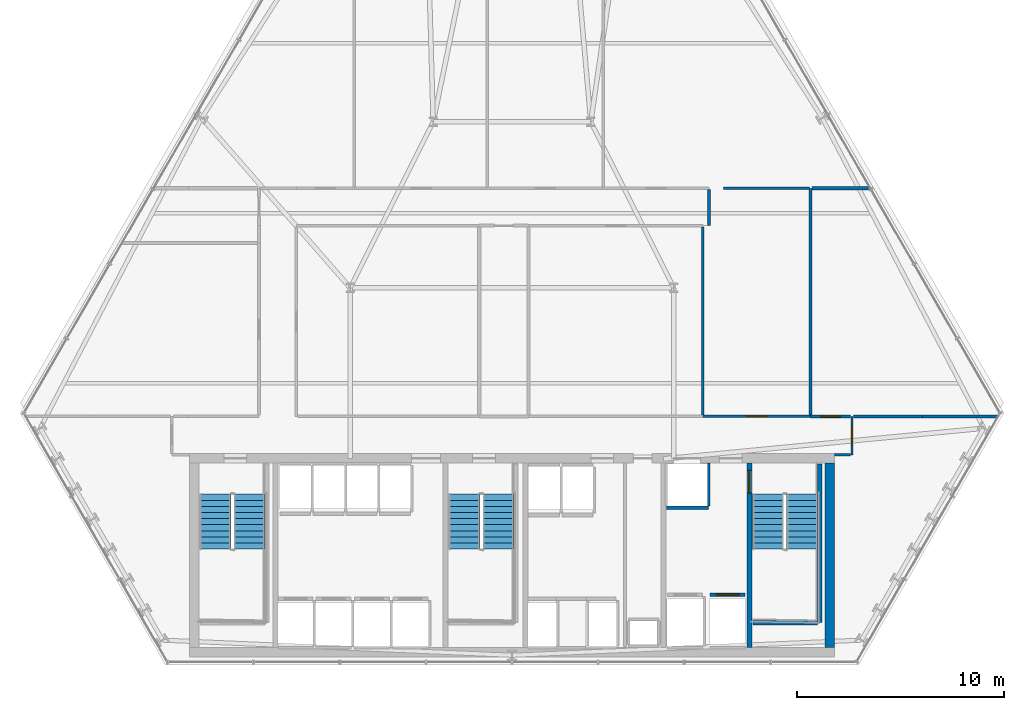
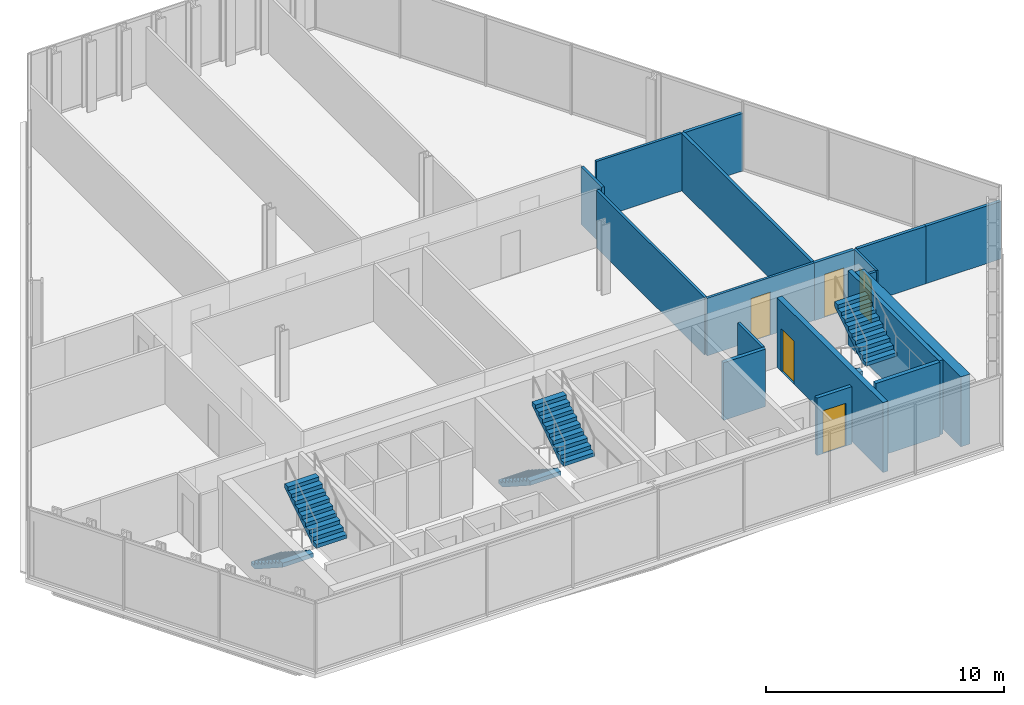
# One storey, part 29 of 32: 18 walls, 6 stair flights, 5 doors, 5 openings, 3 elements without a shape of their own.
"""IFC4 building model written with IfcOpenShell, lengths in metres."""

from ifc_helpers import new_model, si_unit, direction, frame, frame_2d, origin, place, context, subcontext, project, spatial, polyline, rectangle, outline, extrude, material, layer, layer_set, type_object, element, fill, aggregate, save


model = new_model("IFC4")

# Units and contexts
model_context = context("Model", 3, precision=1e-05, world=origin(), true_north=direction((0.0, 1.0)))
body_context = subcontext(model_context, "Body", "Model", "MODEL_VIEW")
ifc_project = project(units=[si_unit("LENGTHUNIT", "METRE"), si_unit("AREAUNIT", "SQUARE_METRE"), si_unit("VOLUMEUNIT", "CUBIC_METRE"), si_unit("PLANEANGLEUNIT", "RADIAN"), si_unit("MASSUNIT", "GRAM", prefix="KILO")], contexts=[model_context])

# Site, building, storey
site_placement = place(None, origin())
site = spatial("IfcSite", under=ifc_project, at=site_placement, CompositionType="ELEMENT")
building_placement = place(site_placement, origin())
building = spatial("IfcBuilding", under=site, at=building_placement, Name="Ndaravel Arena Tower", CompositionType="ELEMENT")
storey_placement = place(building_placement, frame((0.0, 0.0, 93.0)))
storey = spatial("IfcBuildingStorey", under=building, at=storey_placement, Name="L21", CompositionType="ELEMENT", Elevation=93.0)

# Wall, opening, door
ifc_material_1 = material(Name="Concrete C60/75", Category="concrete")
ifc_layer_1 = layer(ifc_material_1, 0.25)
ifc_layer_set_1 = layer_set([ifc_layer_1], Name="Concrete C60/75")
wall_type_1 = type_object("IfcWallType", Name="WALL-CORE-250", PredefinedType="SOLIDWALL", material=ifc_layer_set_1)
wall_1_placement = place(storey_placement, frame((53.449951171875, 5.85009765625, 0.0), z_axis=(0.0, 0.0, 1.0), x_axis=(0.0, 1.0, 0.0)))
wall_1 = element("IfcWall", 1, at=wall_1_placement, inside=storey, type_object=wall_type_1, Name="L21 Core Web Shear Wall 5", PredefinedType="SOLIDWALL", context=body_context, shape_type="SweptSolid", body=[
    extrude(rectangle(XDim=8.89990234375, YDim=0.25, at=frame_2d((4.449951171875, 0.0))), origin(), (0.0, 0.0, 1.0), 3.580078125),
])
opening_1_placement = place(wall_1_placement, frame((7.449951171875, 0.0, 0.0)))
opening_1 = element("IfcOpeningElement", 2, at=opening_1_placement, cuts=wall_1, Name="Opening FD-01", PredefinedType="OPENING", context=body_context, shape_type="SweptSolid", body=[
    extrude(rectangle(XDim=1.10009765625, YDim=2.199951171875, at=frame_2d((0.550048828125, 1.10009765625))), frame((0.0, 0.125, 0.0), z_axis=(0.0, -1.0, 0.0), x_axis=(1.0, 0.0, 0.0)), (0.0, 0.0, 1.0), 0.25),
])
ifc_material_2 = material(Name="Steel S355", Category="steel")
door_type_1 = type_object("IfcDoorType", Name="DT-01-STAIR-1100", OperationType="SINGLE_SWING_LEFT", PredefinedType="DOOR", material=ifc_material_2)
door_1_placement = place(opening_1_placement, origin())
door_1 = element("IfcDoor", 3, at=door_1_placement, inside=storey, type_object=door_type_1, Name="L21 Firefighting Lobby to ST-3 Door", OperationType="SINGLE_SWING_LEFT", OverallHeight=2.199951171875, OverallWidth=1.10009765625, PredefinedType="DOOR", context=body_context, shape_type="SweptSolid", body=[
    extrude(rectangle(XDim=1.10009765625, YDim=2.199951171875, at=frame_2d((0.550048828125, 1.10009765625))), frame((0.0, 0.02490234375, 0.0), z_axis=(0.0, -1.0, 0.0), x_axis=(1.0, 0.0, 0.0)), (0.0, 0.0, 1.0), 0.050048828125),
])
fill(opening_1, door_1)

# Wall
ifc_material_3 = material(Name="Concrete C60/75", Category="concrete")
ifc_layer_2 = layer(ifc_material_3, 0.449951171875)
ifc_layer_set_2 = layer_set([ifc_layer_2], Name="Concrete C60/75")
wall_type_2 = type_object("IfcWallType", Name="WALL-CORE-450", PredefinedType="SOLIDWALL", material=ifc_layer_set_2)
wall_2_placement = place(storey_placement, frame((57.324951171875, 5.85009765625, 0.0), z_axis=(0.0, 0.0, 1.0), x_axis=(0.0, 1.0, 0.0)))
element("IfcWall", 4, at=wall_2_placement, inside=storey, type_object=wall_type_2, Name="L21 Core East Shear Wall", PredefinedType="SOLIDWALL", context=body_context, shape_type="SweptSolid", body=[
    extrude(rectangle(XDim=8.89990234375, YDim=0.449951171875, at=frame_2d((4.449951171875, 0.0))), origin(), (0.0, 0.0, 1.0), 3.580078125),
])

# Wall, opening, door
ifc_material_4 = material(Name="Timber", Category="wood")
ifc_layer_3 = layer(ifc_material_4, 0.10009765625)
ifc_layer_set_3 = layer_set([ifc_layer_3], Name="Timber")
wall_type_3 = type_object("IfcWallType", Name="WALL-MOVABLE-100", PredefinedType="MOVABLE", material=ifc_layer_set_3)
wall_3_placement = place(storey_placement, frame((58.39990234375, 17.0, 0.0), z_axis=(0.0, 0.0, 1.0), x_axis=(0.0, -1.0, 0.0)))
wall_3 = element("IfcWall", 5, at=wall_3_placement, inside=storey, type_object=wall_type_3, Name="L21 Interior Partition 001", PredefinedType="MOVABLE", context=body_context, shape_type="SweptSolid", body=[
    extrude(rectangle(XDim=1.85009765625, YDim=0.10009765625, at=frame_2d((0.925048828125, 0.0))), origin(), (0.0, 0.0, 1.0), 2.949951171875),
])
opening_2_placement = place(wall_3_placement, frame((0.449951171875, 0.0, 0.0)))
opening_2 = element("IfcOpeningElement", 6, at=opening_2_placement, cuts=wall_3, Name="Opening ID-01", PredefinedType="OPENING", context=body_context, shape_type="SweptSolid", body=[
    extrude(rectangle(XDim=0.949951171875, YDim=2.199951171875, at=frame_2d((0.47509765625, 1.10009765625))), frame((0.0, 0.050048828125, 0.0), z_axis=(0.0, -1.0, 0.0), x_axis=(1.0, 0.0, 0.0)), (0.0, 0.0, 1.0), 0.10009765625),
])
ifc_material_5 = material(Name="Timber", Category="wood")
door_type_2 = type_object("IfcDoorType", Name="DT-03-OFFICE-950", OperationType="SINGLE_SWING_LEFT", PredefinedType="DOOR", material=ifc_material_5)
door_2_placement = place(opening_2_placement, origin())
door_2 = element("IfcDoor", 7, at=door_2_placement, inside=storey, type_object=door_type_2, Name="L21 Staff Wellness Clinic Door", OperationType="SINGLE_SWING_LEFT", OverallHeight=2.199951171875, OverallWidth=0.949951171875, PredefinedType="DOOR", context=body_context, shape_type="SweptSolid", body=[
    extrude(rectangle(XDim=0.949951171875, YDim=2.199951171875, at=frame_2d((0.47509765625, 1.10009765625))), frame((0.0, 0.02490234375, 0.0), z_axis=(0.0, -1.0, 0.0), x_axis=(1.0, 0.0, 0.0)), (0.0, 0.0, 1.0), 0.050048828125),
])
fill(opening_2, door_2)

# Walls
ifc_material_6 = material(Name="Gypsum", Category="gypsum")
ifc_layer_4 = layer(ifc_material_6, 0.125)
ifc_layer_set_4 = layer_set([ifc_layer_4], Name="Gypsum")
wall_type_4 = type_object("IfcWallType", Name="WALL-PART-125", PredefinedType="PARTITIONING", material=ifc_layer_set_4)
wall_4_placement = place(storey_placement, frame((58.3349609375, 15.14990234375, 0.0), z_axis=(0.0, 0.0, 1.0), x_axis=(-1.0, 0.0, 0.0)))
element("IfcWall", 8, at=wall_4_placement, inside=storey, type_object=wall_type_4, Name="L21 Interior Partition 002", PredefinedType="PARTITIONING", context=body_context, shape_type="SweptSolid", body=[
    extrude(rectangle(XDim=0.784912109375, YDim=0.125, at=frame_2d((0.392578125, 0.0))), origin(), (0.0, 0.0, 1.0), 2.949951171875),
])
wall_5_placement = place(storey_placement, frame((51.5, 27.93505859375, 0.0), z_axis=(0.0, 0.0, 1.0), x_axis=(0.0, -1.0, 0.0)))
element("IfcWall", 9, at=wall_5_placement, inside=storey, type_object=wall_type_4, Name="L21 Interior Partition 015", PredefinedType="PARTITIONING", context=body_context, shape_type="SweptSolid", body=[
    extrude(rectangle(XDim=1.735107421875, YDim=0.125, at=frame_2d((0.86767578125, 0.0))), origin(), (0.0, 0.0, 1.0), 2.949951171875),
])

# Wall, opening, door
wall_6_placement = place(storey_placement, frame((51.199951171875, 17.0, 0.0), z_axis=(0.0, 0.0, 1.0), x_axis=(1.0, 0.0, 0.0)))
wall_6 = element("IfcWall", 10, at=wall_6_placement, inside=storey, type_object=wall_type_4, Name="L21 Interior Partition 023", PredefinedType="PARTITIONING", context=body_context, shape_type="SweptSolid", body=[
    extrude(rectangle(XDim=5.199951171875, YDim=0.125, at=frame_2d((2.60009765625, 0.0))), origin(), (0.0, 0.0, 1.0), 2.949951171875),
])
opening_3_placement = place(wall_6_placement, frame((2.125, 0.0, 0.0)))
opening_3 = element("IfcOpeningElement", 11, at=opening_3_placement, cuts=wall_6, Name="Opening ID-01", PredefinedType="OPENING", context=body_context, shape_type="SweptSolid", body=[
    extrude(rectangle(XDim=0.949951171875, YDim=2.199951171875, at=frame_2d((0.47509765625, 1.10009765625))), frame((0.0, 0.0625, 0.0), z_axis=(0.0, -1.0, 0.0), x_axis=(1.0, 0.0, 0.0)), (0.0, 0.0, 1.0), 0.125),
])
door_3_placement = place(opening_3_placement, origin())
door_3 = element("IfcDoor", 12, at=door_3_placement, inside=storey, type_object=door_type_2, Name="L21 Occupational Consult Room 2 Door", OperationType="SINGLE_SWING_LEFT", OverallHeight=2.199951171875, OverallWidth=0.949951171875, PredefinedType="DOOR", context=body_context, shape_type="SweptSolid", body=[
    extrude(rectangle(XDim=0.949951171875, YDim=2.199951171875, at=frame_2d((0.47509765625, 1.10009765625))), frame((0.0, 0.02490234375, 0.0), z_axis=(0.0, -1.0, 0.0), x_axis=(1.0, 0.0, 0.0)), (0.0, 0.0, 1.0), 0.050048828125),
])
fill(opening_3, door_3)

# Walls
wall_7_placement = place(storey_placement, frame((51.199951171875, 26.135009765625, 0.0), z_axis=(0.0, 0.0, 1.0), x_axis=(0.0, -1.0, 0.0)))
element("IfcWall", 13, at=wall_7_placement, inside=storey, type_object=wall_type_4, Name="L21 Interior Partition 034", PredefinedType="PARTITIONING", context=body_context, shape_type="SweptSolid", body=[
    extrude(rectangle(XDim=9.070068359375, YDim=0.125, at=frame_2d((4.53515625, 0.0))), origin(), (0.0, 0.0, 1.0), 2.949951171875),
])
wall_8_placement = place(storey_placement, frame((52.199951171875, 28.0, 0.0), z_axis=(0.0, 0.0, 1.0), x_axis=(1.0, 0.0, 0.0)))
element("IfcWall", 14, at=wall_8_placement, inside=storey, type_object=wall_type_4, Name="L21 Interior Partition 035", PredefinedType="PARTITIONING", context=body_context, shape_type="SweptSolid", body=[
    extrude(rectangle(XDim=4.135009765625, YDim=0.125, at=frame_2d((2.0673828125, 0.0))), origin(), (0.0, 0.0, 1.0), 2.949951171875),
])
ifc_material_7 = material(Name="Concrete C40/50", Category="concrete")
ifc_layer_5 = layer(ifc_material_7, 0.1201171875)
ifc_layer_set_5 = layer_set([ifc_layer_5], Name="Concrete C40/50")
wall_type_5 = type_object("IfcWallType", Name="WALL-SHAFT-120", PredefinedType="SOLIDWALL", material=ifc_layer_set_5)
wall_9_placement = place(storey_placement, frame((51.47998046875, 12.68994140625, 0.0), z_axis=(0.0, 0.0, 1.0), x_axis=(0.0, 1.0, 0.0)))
element("IfcWall", 15, at=wall_9_placement, inside=storey, type_object=wall_type_5, Name="L21 SVL-1 Shaft E Wall", PredefinedType="SOLIDWALL", context=body_context, shape_type="SweptSolid", body=[
    extrude(rectangle(XDim=2.070068359375, YDim=0.1201171875, at=frame_2d((1.03515625, 0.0))), origin(), (0.0, 0.0, 1.0), 2.949951171875),
])
ifc_material_8 = material(Name="Concrete C40/50", Category="concrete")
ifc_layer_6 = layer(ifc_material_8, 0.199951171875)
ifc_layer_set_6 = layer_set([ifc_layer_6], Name="Concrete C40/50")
wall_type_6 = type_object("IfcWallType", Name="WALL-SHAFT-200", PredefinedType="SOLIDWALL", material=ifc_layer_set_6)
wall_10_placement = place(storey_placement, frame((56.840087890625, 14.699951171875, 0.0), z_axis=(0.0, 0.0, 1.0), x_axis=(0.0, -1.0, 0.0)))
element("IfcWall", 16, at=wall_10_placement, inside=storey, type_object=wall_type_6, Name="L21 ST-3 Structural Shaft Wall Right", PredefinedType="SOLIDWALL", context=body_context, shape_type="SweptSolid", body=[
    extrude(rectangle(XDim=7.64990234375, YDim=0.199951171875, at=frame_2d((3.824951171875, 0.0))), origin(), (0.0, 0.0, 1.0), 3.800048828125),
])
wall_11_placement = place(storey_placement, frame((53.6201171875, 7.050048828125, 0.0), z_axis=(0.0, 0.0, 1.0), x_axis=(1.0, 0.0, 0.0)))
element("IfcWall", 17, at=wall_11_placement, inside=storey, type_object=wall_type_6, Name="L21 ST-3 Structural Shaft Wall Far", PredefinedType="SOLIDWALL", context=body_context, shape_type="SweptSolid", body=[
    extrude(rectangle(XDim=3.114990234375, YDim=0.199951171875, at=frame_2d((1.5576171875, 0.0))), origin(), (0.0, 0.0, 1.0), 3.800048828125),
])

# Wall, opening, door
wall_12_placement = place(storey_placement, frame((51.554931640625, 8.39990234375, 0.0), z_axis=(0.0, 0.0, 1.0), x_axis=(1.0, 0.0, 0.0)))
wall_12 = element("IfcWall", 18, at=wall_12_placement, inside=storey, type_object=wall_type_6, Name="L21 FFL-2 Shaft Landing Wall", PredefinedType="SOLIDWALL", context=body_context, shape_type="SweptSolid", body=[
    extrude(rectangle(XDim=1.690185546875, YDim=0.179931640625, at=frame_2d((0.84521484375, 0.0))), origin(), (0.0, 0.0, 1.0), 2.949951171875),
])
opening_4_placement = place(wall_12_placement, frame((0.294921875, 0.0, 0.0)))
opening_4 = element("IfcOpeningElement", 19, at=opening_4_placement, cuts=wall_12, Name="Opening LD-01", PredefinedType="OPENING", context=body_context, shape_type="SweptSolid", body=[
    extrude(rectangle(XDim=1.10009765625, YDim=2.199951171875, at=frame_2d((0.550048828125, 1.10009765625))), frame((0.0, 0.08984375, 0.0), z_axis=(0.0, -1.0, 0.0), x_axis=(1.0, 0.0, 0.0)), (0.0, 0.0, 1.0), 0.179931640625),
])
ifc_material_9 = material(Name="Steel S355", Category="steel")
door_type_3 = type_object("IfcDoorType", Name="DT-06-LIFT-1100", OperationType="SLIDING_TO_LEFT", PredefinedType="DOOR", material=ifc_material_9)
door_4_placement = place(opening_4_placement, origin())
door_4 = element("IfcDoor", 20, at=door_4_placement, inside=storey, type_object=door_type_3, Name="L21 Lift FFL-2 Sliding Landing Door", OperationType="SLIDING_TO_LEFT", OverallHeight=2.199951171875, OverallWidth=1.10009765625, PredefinedType="DOOR", context=body_context, shape_type="SweptSolid", body=[
    extrude(rectangle(XDim=1.10009765625, YDim=2.199951171875, at=frame_2d((0.550048828125, 1.10009765625))), frame((0.0, 0.02490234375, 0.0), z_axis=(0.0, -1.0, 0.0), x_axis=(1.0, 0.0, 0.0)), (0.0, 0.0, 1.0), 0.050048828125),
])
fill(opening_4, door_4)

# Wall
wall_13_placement = place(storey_placement, frame((49.43994140625, 12.594970703125, 0.0), z_axis=(0.0, 0.0, 1.0), x_axis=(1.0, 0.0, 0.0)))
element("IfcWall", 21, at=wall_13_placement, inside=storey, type_object=wall_type_6, Name="L21 SVL-1 Shaft South Wall", PredefinedType="SOLIDWALL", context=body_context, shape_type="SweptSolid", body=[
    extrude(rectangle(XDim=2.0400390625, YDim=0.179931640625, at=frame_2d((1.02001953125, 0.0))), origin(), (0.0, 0.0, 1.0), 2.949951171875),
])

# Wall, opening, door
ifc_material_10 = material(Name="Masonry", Category="masonry")
ifc_layer_7 = layer(ifc_material_10, 0.14990234375)
ifc_layer_set_7 = layer_set([ifc_layer_7], Name="Masonry")
wall_type_7 = type_object("IfcWallType", Name="WALL-WET-150", PredefinedType="PARTITIONING", material=ifc_layer_set_7)
wall_14_placement = place(storey_placement, frame((56.39990234375, 17.0, 0.0), z_axis=(0.0, 0.0, 1.0), x_axis=(1.0, 0.0, 0.0)))
wall_14 = element("IfcWall", 22, at=wall_14_placement, inside=storey, type_object=wall_type_7, Name="L21 Interior Partition 024", PredefinedType="PARTITIONING", context=body_context, shape_type="SweptSolid", body=[
    extrude(rectangle(XDim=1.93505859375, YDim=0.14990234375, at=frame_2d((0.967529296875, 0.0))), origin(), (0.0, 0.0, 1.0), 2.949951171875),
])
opening_5_placement = place(wall_14_placement, frame((0.492431640625, 0.0, 0.0)))
opening_5 = element("IfcOpeningElement", 23, at=opening_5_placement, cuts=wall_14, Name="Opening FD-03", PredefinedType="OPENING", context=body_context, shape_type="SweptSolid", body=[
    extrude(rectangle(XDim=0.949951171875, YDim=2.199951171875, at=frame_2d((0.47509765625, 1.10009765625))), frame((0.0, 0.074951171875, 0.0), z_axis=(0.0, -1.0, 0.0), x_axis=(1.0, 0.0, 0.0)), (0.0, 0.0, 1.0), 0.14990234375),
])
ifc_material_11 = material(Name="Steel S355", Category="steel")
door_type_4 = type_object("IfcDoorType", Name="DT-11-CORE-950", OperationType="SINGLE_SWING_LEFT", PredefinedType="DOOR", material=ifc_material_11)
door_5_placement = place(opening_5_placement, origin())
door_5 = element("IfcDoor", 24, at=door_5_placement, inside=storey, type_object=door_type_4, Name="L21 Staff Espresso Kitchen Door", OperationType="SINGLE_SWING_LEFT", OverallHeight=2.199951171875, OverallWidth=0.949951171875, PredefinedType="DOOR", context=body_context, shape_type="SweptSolid", body=[
    extrude(rectangle(XDim=0.949951171875, YDim=2.199951171875, at=frame_2d((0.47509765625, 1.10009765625))), frame((0.0, 0.02490234375, 0.0), z_axis=(0.0, -1.0, 0.0), x_axis=(1.0, 0.0, 0.0)), (0.0, 0.0, 1.0), 0.050048828125),
])
fill(opening_5, door_5)

# Walls
wall_15_placement = place(storey_placement, frame((58.465087890625, 17.0, 0.0), z_axis=(0.0, 0.0, 1.0), x_axis=(1.0, 0.0, 0.0)))
element("IfcWall", 25, at=wall_15_placement, inside=storey, type_object=wall_type_7, Name="L21 Interior Partition 027", PredefinedType="PARTITIONING", context=body_context, shape_type="SweptSolid", body=[
    extrude(rectangle(XDim=3.3349609375, YDim=0.14990234375, at=frame_2d((1.66748046875, 0.0))), origin(), (0.0, 0.0, 1.0), 2.949951171875),
])
wall_16_placement = place(storey_placement, frame((61.800048828125, 17.0, 0.0), z_axis=(0.0, 0.0, 1.0), x_axis=(1.0, 0.0, 0.0)))
element("IfcWall", 26, at=wall_16_placement, inside=storey, type_object=wall_type_7, Name="L21 Interior Partition 028", PredefinedType="PARTITIONING", context=body_context, shape_type="SweptSolid", body=[
    extrude(rectangle(XDim=3.648193359375, YDim=0.14990234375, at=frame_2d((1.82421875, 0.0))), origin(), (0.0, 0.0, 1.0), 2.949951171875),
])
wall_17_placement = place(storey_placement, frame((56.39990234375, 17.06494140625, 0.0), z_axis=(0.0, 0.0, 1.0), x_axis=(0.0, 1.0, 0.0)))
element("IfcWall", 27, at=wall_17_placement, inside=storey, type_object=wall_type_7, Name="L21 Interior Partition 030", PredefinedType="PARTITIONING", context=body_context, shape_type="SweptSolid", body=[
    extrude(rectangle(XDim=10.93505859375, YDim=0.14990234375, at=frame_2d((5.467529296875, 0.0))), origin(), (0.0, 0.0, 1.0), 2.949951171875),
])
wall_18_placement = place(storey_placement, frame((56.465087890625, 28.0, 0.0), z_axis=(0.0, 0.0, 1.0), x_axis=(1.0, 0.0, 0.0)))
element("IfcWall", 28, at=wall_18_placement, inside=storey, type_object=wall_type_7, Name="L21 Interior Partition 031", PredefinedType="PARTITIONING", context=body_context, shape_type="SweptSolid", body=[
    extrude(rectangle(XDim=2.81787109375, YDim=0.14990234375, at=frame_2d((1.408935546875, 0.0))), origin(), (0.0, 0.0, 1.0), 2.949951171875),
])

# Stair, stair flights
ifc_material_12 = material(Name="Concrete C40/50", Category="concrete")
stair_type = type_object("IfcStairType", Name="STAIR-CORE-HT", PredefinedType="HALF_TURN_STAIR", material=ifc_material_12)
stair_1_placement = place(storey_placement, origin())
stair_1 = element("IfcStair", 29, at=stair_1_placement, inside=storey, type_object=stair_type, Name="L21 ST-1", PredefinedType="HALF_TURN_STAIR")
ifc_material_13 = material(Name="Concrete C40/50", Category="concrete")
stair_flight_type = type_object("IfcStairFlightType", Name="SFLIGHT-CORE-1680", PredefinedType="STRAIGHT", material=ifc_material_13)
stair_flight_1_placement = place(storey_placement, frame((27.699951171875, 13.25, 0.0), z_axis=(0.0, 0.0, 1.0), x_axis=(0.0, -1.0, 0.0)))
stair_flight_1 = element("IfcStairFlight", 30, at=stair_flight_1_placement, type_object=stair_flight_type, Name="ST-1 flight 1", NumberOfRisers=10, NumberOfTreads=9, PredefinedType="STRAIGHT", RiserHeight=0.19, TreadLength=0.295, context=body_context, shape_type="SweptSolid", body=[
    extrude(outline(polyline([(0.0, 0.0), (0.0, 0.18994140625), (0.294921875, 0.18994140625), (0.294921875, 0.3798828125), (0.590087890625, 0.3798828125), (0.590087890625, 0.570068359375), (0.885009765625, 0.570068359375), (0.885009765625, 0.760009765625), (1.179931640625, 0.760009765625), (1.179931640625, 0.949951171875), (1.47509765625, 0.949951171875), (1.47509765625, 1.139892578125), (1.77001953125, 1.139892578125), (1.77001953125, 1.330078125), (2.06494140625, 1.330078125), (2.06494140625, 1.52001953125), (2.360107421875, 1.52001953125), (2.360107421875, 1.7099609375), (2.655029296875, 1.7099609375), (2.655029296875, 1.89990234375), (2.655029296875, 1.49609375), (0.332275390625, 0.0), (0.0, 0.0)])), frame((0.0, 0.75, 0.0), z_axis=(0.0, -1.0, 0.0), x_axis=(1.0, 0.0, 0.0)), (0.0, 0.0, 1.0), 1.5),
])
stair_flight_2_placement = place(storey_placement, frame((29.340087890625, 10.594970703125, 1.89990234375), z_axis=(0.0, 0.0, 1.0), x_axis=(0.0, 1.0, 0.0)))
stair_flight_2 = element("IfcStairFlight", 31, at=stair_flight_2_placement, type_object=stair_flight_type, Name="ST-1 flight 2", NumberOfRisers=10, NumberOfTreads=9, PredefinedType="STRAIGHT", RiserHeight=0.19, TreadLength=0.295, context=body_context, shape_type="SweptSolid", body=[
    extrude(outline(polyline([(0.0, 0.0), (0.0, 0.18994140625), (0.294921875, 0.18994140625), (0.294921875, 0.3798828125), (0.590087890625, 0.3798828125), (0.590087890625, 0.570068359375), (0.885009765625, 0.570068359375), (0.885009765625, 0.760009765625), (1.179931640625, 0.760009765625), (1.179931640625, 0.949951171875), (1.47509765625, 0.949951171875), (1.47509765625, 1.139892578125), (1.77001953125, 1.139892578125), (1.77001953125, 1.330078125), (2.06494140625, 1.330078125), (2.06494140625, 1.52001953125), (2.360107421875, 1.52001953125), (2.360107421875, 1.7099609375), (2.655029296875, 1.7099609375), (2.655029296875, 1.89990234375), (2.655029296875, 1.49609375), (0.332275390625, 0.0), (0.0, 0.0)])), frame((0.0, 0.75, 0.0), z_axis=(0.0, -1.0, 0.0), x_axis=(1.0, 0.0, 0.0)), (0.0, 0.0, 1.0), 1.5),
])
aggregate(stair_1, [stair_flight_1, stair_flight_2])

stair_2_placement = place(storey_placement, origin())
stair_2 = element("IfcStair", 32, at=stair_2_placement, inside=storey, type_object=stair_type, Name="L21 ST-2", PredefinedType="HALF_TURN_STAIR")
stair_flight_3_placement = place(storey_placement, frame((39.699951171875, 13.25, 0.0), z_axis=(0.0, 0.0, 1.0), x_axis=(0.0, -1.0, 0.0)))
stair_flight_3 = element("IfcStairFlight", 33, at=stair_flight_3_placement, type_object=stair_flight_type, Name="ST-2 flight 1", NumberOfRisers=10, NumberOfTreads=9, PredefinedType="STRAIGHT", RiserHeight=0.19, TreadLength=0.295, context=body_context, shape_type="SweptSolid", body=[
    extrude(outline(polyline([(0.0, 0.0), (0.0, 0.18994140625), (0.294921875, 0.18994140625), (0.294921875, 0.3798828125), (0.590087890625, 0.3798828125), (0.590087890625, 0.570068359375), (0.885009765625, 0.570068359375), (0.885009765625, 0.760009765625), (1.179931640625, 0.760009765625), (1.179931640625, 0.949951171875), (1.47509765625, 0.949951171875), (1.47509765625, 1.139892578125), (1.77001953125, 1.139892578125), (1.77001953125, 1.330078125), (2.06494140625, 1.330078125), (2.06494140625, 1.52001953125), (2.360107421875, 1.52001953125), (2.360107421875, 1.7099609375), (2.655029296875, 1.7099609375), (2.655029296875, 1.89990234375), (2.655029296875, 1.49609375), (0.332275390625, 0.0), (0.0, 0.0)])), frame((0.0, 0.75, 0.0), z_axis=(0.0, -1.0, 0.0), x_axis=(1.0, 0.0, 0.0)), (0.0, 0.0, 1.0), 1.5),
])
stair_flight_4_placement = place(storey_placement, frame((41.340087890625, 10.594970703125, 1.89990234375), z_axis=(0.0, 0.0, 1.0), x_axis=(0.0, 1.0, 0.0)))
stair_flight_4 = element("IfcStairFlight", 34, at=stair_flight_4_placement, type_object=stair_flight_type, Name="ST-2 flight 2", NumberOfRisers=10, NumberOfTreads=9, PredefinedType="STRAIGHT", RiserHeight=0.19, TreadLength=0.295, context=body_context, shape_type="SweptSolid", body=[
    extrude(outline(polyline([(0.0, 0.0), (0.0, 0.18994140625), (0.294921875, 0.18994140625), (0.294921875, 0.3798828125), (0.590087890625, 0.3798828125), (0.590087890625, 0.570068359375), (0.885009765625, 0.570068359375), (0.885009765625, 0.760009765625), (1.179931640625, 0.760009765625), (1.179931640625, 0.949951171875), (1.47509765625, 0.949951171875), (1.47509765625, 1.139892578125), (1.77001953125, 1.139892578125), (1.77001953125, 1.330078125), (2.06494140625, 1.330078125), (2.06494140625, 1.52001953125), (2.360107421875, 1.52001953125), (2.360107421875, 1.7099609375), (2.655029296875, 1.7099609375), (2.655029296875, 1.89990234375), (2.655029296875, 1.49609375), (0.332275390625, 0.0), (0.0, 0.0)])), frame((0.0, 0.75, 0.0), z_axis=(0.0, -1.0, 0.0), x_axis=(1.0, 0.0, 0.0)), (0.0, 0.0, 1.0), 1.5),
])
aggregate(stair_2, [stair_flight_3, stair_flight_4])

stair_3_placement = place(storey_placement, origin())
stair_3 = element("IfcStair", 35, at=stair_3_placement, inside=storey, type_object=stair_type, Name="L21 ST-3", PredefinedType="HALF_TURN_STAIR")
stair_flight_5_placement = place(storey_placement, frame((54.35009765625, 13.25, 0.0), z_axis=(0.0, 0.0, 1.0), x_axis=(0.0, -1.0, 0.0)))
stair_flight_5 = element("IfcStairFlight", 36, at=stair_flight_5_placement, type_object=stair_flight_type, Name="ST-3 flight 1", NumberOfRisers=10, NumberOfTreads=9, PredefinedType="STRAIGHT", RiserHeight=0.19, TreadLength=0.295, context=body_context, shape_type="SweptSolid", body=[
    extrude(outline(polyline([(0.0, 0.0), (0.0, 0.18994140625), (0.294921875, 0.18994140625), (0.294921875, 0.3798828125), (0.590087890625, 0.3798828125), (0.590087890625, 0.570068359375), (0.885009765625, 0.570068359375), (0.885009765625, 0.760009765625), (1.179931640625, 0.760009765625), (1.179931640625, 0.949951171875), (1.47509765625, 0.949951171875), (1.47509765625, 1.139892578125), (1.77001953125, 1.139892578125), (1.77001953125, 1.330078125), (2.06494140625, 1.330078125), (2.06494140625, 1.52001953125), (2.360107421875, 1.52001953125), (2.360107421875, 1.7099609375), (2.655029296875, 1.7099609375), (2.655029296875, 1.89990234375), (2.655029296875, 1.49609375), (0.332275390625, 0.0), (0.0, 0.0)])), frame((0.0, 0.75, 0.0), z_axis=(0.0, -1.0, 0.0), x_axis=(1.0, 0.0, 0.0)), (0.0, 0.0, 1.0), 1.5),
])
stair_flight_6_placement = place(storey_placement, frame((55.989990234375, 10.594970703125, 1.89990234375), z_axis=(0.0, 0.0, 1.0), x_axis=(0.0, 1.0, 0.0)))
stair_flight_6 = element("IfcStairFlight", 37, at=stair_flight_6_placement, type_object=stair_flight_type, Name="ST-3 flight 2", NumberOfRisers=10, NumberOfTreads=9, PredefinedType="STRAIGHT", RiserHeight=0.19, TreadLength=0.295, context=body_context, shape_type="SweptSolid", body=[
    extrude(outline(polyline([(0.0, 0.0), (0.0, 0.18994140625), (0.294921875, 0.18994140625), (0.294921875, 0.3798828125), (0.590087890625, 0.3798828125), (0.590087890625, 0.570068359375), (0.885009765625, 0.570068359375), (0.885009765625, 0.760009765625), (1.179931640625, 0.760009765625), (1.179931640625, 0.949951171875), (1.47509765625, 0.949951171875), (1.47509765625, 1.139892578125), (1.77001953125, 1.139892578125), (1.77001953125, 1.330078125), (2.06494140625, 1.330078125), (2.06494140625, 1.52001953125), (2.360107421875, 1.52001953125), (2.360107421875, 1.7099609375), (2.655029296875, 1.7099609375), (2.655029296875, 1.89990234375), (2.655029296875, 1.49609375), (0.332275390625, 0.0), (0.0, 0.0)])), frame((0.0, 0.75, 0.0), z_axis=(0.0, -1.0, 0.0), x_axis=(1.0, 0.0, 0.0)), (0.0, 0.0, 1.0), 1.5),
])
aggregate(stair_3, [stair_flight_5, stair_flight_6])

save(model, "model.ifc")
